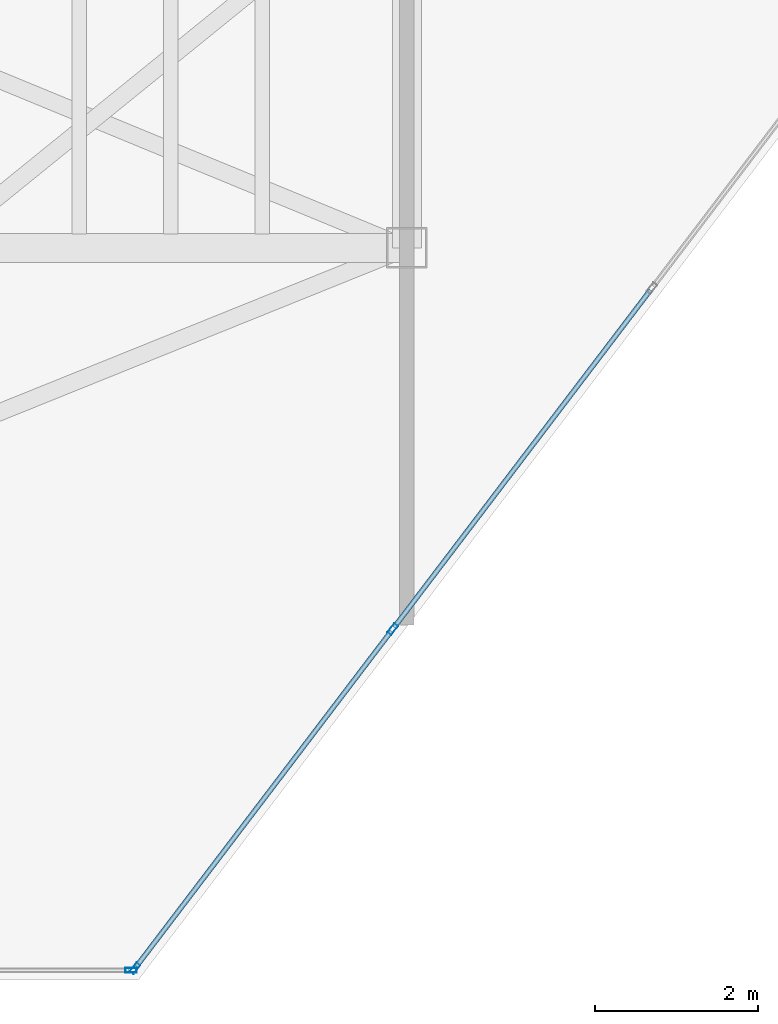
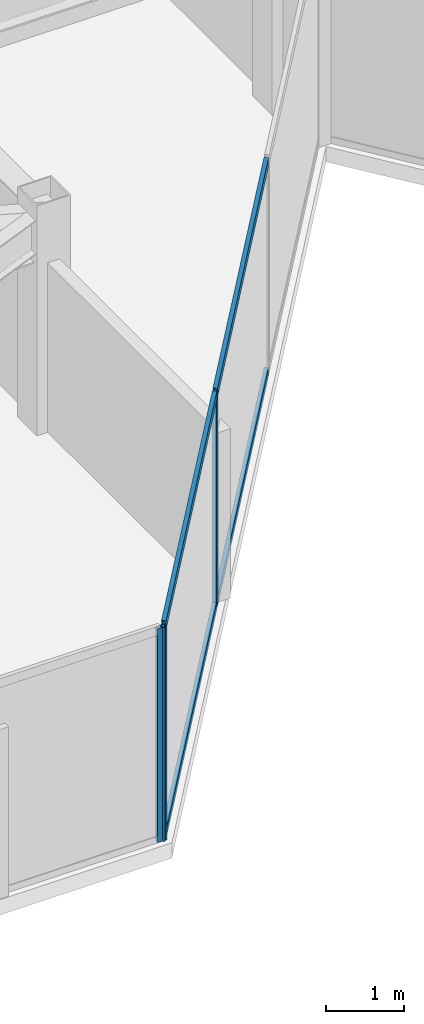
# One storey, part 4 of 19: 7 members, 2 elements without a shape of their own.
"""IFC4 building model written with IfcOpenShell, lengths in metres."""

from ifc_helpers import new_model, si_unit, direction, frame, origin, origin_2d, place, context, subcontext, project, spatial, hollow_rectangle, extrude, material, layer, layer_set, material_profile, profile_set, type_object, element, aggregate, save


model = new_model("IFC4")

# Units and contexts
model_context = context("Model", 3, precision=1e-05, world=origin(), true_north=direction((0.0, 1.0)))
body_context = subcontext(model_context, "Body", "Model", "MODEL_VIEW")
ifc_project = project(units=[si_unit("LENGTHUNIT", "METRE"), si_unit("AREAUNIT", "SQUARE_METRE"), si_unit("VOLUMEUNIT", "CUBIC_METRE"), si_unit("PLANEANGLEUNIT", "RADIAN"), si_unit("MASSUNIT", "GRAM", prefix="KILO")], contexts=[model_context])

# Site, building, storey
site_placement = place(None, origin())
site = spatial("IfcSite", under=ifc_project, at=site_placement, CompositionType="ELEMENT")
building_placement = place(site_placement, origin())
building = spatial("IfcBuilding", under=site, at=building_placement, Name="Kravanh Interchange Tower", CompositionType="ELEMENT")
storey_placement = place(building_placement, frame((0.0, 0.0, 259.800048828125)))
storey = spatial("IfcBuildingStorey", under=building, at=storey_placement, Name="L63", CompositionType="ELEMENT", Elevation=259.800048828125)

# Curtain wall, members
ifc_material_1 = material(Name="Anodised Bronze Aluminium", Category="aluminium")
ifc_layer = layer(ifc_material_1, 0.179931640625)
ifc_layer_set = layer_set([ifc_layer], Name="Unitised Curtain Wall System CW-HTL Luxury Hotel")
curtain_wall_type = type_object("IfcCurtainWallType", Name="Unitised Curtain Wall System CW-HTL Luxury Hotel", PredefinedType="NOTDEFINED", material=ifc_layer_set)
curtain_wall_1_placement = place(storey_placement, origin())
curtain_wall_1 = element("IfcCurtainWall", 1, at=curtain_wall_1_placement, inside=storey, type_object=curtain_wall_type, Name="L63 Unitised Curtain Wall CW-L63-05", PredefinedType="NOTDEFINED")
ifc_material_2 = material(Name="Anodised Bronze Aluminium", Category="aluminium")
ifc_material_profile_1 = material_profile(ifc_material_2, hollow_rectangle(XDim=0.06005859375, YDim=0.139892578125, WallThickness=0.00390625, at=origin_2d()), Name="ALU60X140X4")
ifc_profile_set_1 = profile_set([ifc_material_profile_1], Name="Anodised Bronze Aluminium")
member_type_1 = type_object("IfcMemberType", Name="Curtain Wall Mullion ALU60X140X4 Bronze", PredefinedType="MULLION", material=ifc_profile_set_1)
member_1_placement = place(storey_placement, frame((38.427001953125, 22.11279296875, 0.0), z_axis=(0.0, 0.0, 1.0), x_axis=(0.79616243806, -0.605082946564, 0.0)))
member_1 = element("IfcMember", 2, at=member_1_placement, type_object=member_type_1, Name="CW-HTL mullion 3", PredefinedType="MULLION", context=body_context, shape_type="SweptSolid", body=[
    extrude(hollow_rectangle(XDim=0.06005859375, YDim=0.139892578125, WallThickness=0.00390625, at=origin_2d()), origin(), (0.0, 0.0, 1.0), 3.349853515625),
])
member_2_placement = place(storey_placement, frame((35.258544921875, 17.94384765625, 0.0), z_axis=(0.0, 0.0, 1.0), x_axis=(0.79616243806, -0.605082946564, 0.0)))
member_2 = element("IfcMember", 3, at=member_2_placement, type_object=member_type_1, Name="CW-HTL mullion 4", PredefinedType="MULLION", context=body_context, shape_type="SweptSolid", body=[
    extrude(hollow_rectangle(XDim=0.06005859375, YDim=0.139892578125, WallThickness=0.00390625, at=origin_2d()), origin(), (0.0, 0.0, 1.0), 3.349853515625),
])

# Curtain wall, member
curtain_wall_2_placement = place(storey_placement, origin())
curtain_wall_2 = element("IfcCurtainWall", 4, at=curtain_wall_2_placement, inside=storey, type_object=curtain_wall_type, Name="L63 Unitised Curtain Wall CW-L63-06", PredefinedType="NOTDEFINED")
member_3_placement = place(storey_placement, frame((35.21044921875, 17.919921875, 0.0), z_axis=(0.0, 0.0, 1.0), x_axis=(0.0, -1.0, 0.0)))
member_3 = element("IfcMember", 5, at=member_3_placement, type_object=member_type_1, Name="CW-HTL mullion 1", PredefinedType="MULLION", context=body_context, shape_type="SweptSolid", body=[
    extrude(hollow_rectangle(XDim=0.06005859375, YDim=0.139892578125, WallThickness=0.00390625, at=origin_2d()), origin(), (0.0, 0.0, 1.0), 3.349853515625),
])
aggregate(curtain_wall_2, [member_3])

# Member
ifc_material_3 = material(Name="Anodised Bronze Aluminium", Category="aluminium")
ifc_material_profile_2 = material_profile(ifc_material_3, hollow_rectangle(XDim=0.06005859375, YDim=0.139892578125, WallThickness=0.00390625, at=origin_2d()), Name="ALU60X140X4")
ifc_profile_set_2 = profile_set([ifc_material_profile_2], Name="Anodised Bronze Aluminium")
member_type_2 = type_object("IfcMemberType", Name="Curtain Wall Transom ALU60X140X4 Bronze", PredefinedType="USERDEFINED", material=ifc_profile_set_2)
member_4_placement = place(storey_placement, frame((41.595458984375, 26.28173828125, 0.030029296875), z_axis=(-0.605104668693, -0.796145928788, 0.0), x_axis=(0.796145928788, -0.605104668693, 0.0)))
member_4 = element("IfcMember", 6, at=member_4_placement, type_object=member_type_2, Name="CW-HTL transom 2.1", ObjectType="TRANSOM", PredefinedType="USERDEFINED", context=body_context, shape_type="SweptSolid", body=[
    extrude(hollow_rectangle(XDim=0.06005859375, YDim=0.139892578125, WallThickness=0.00390625, at=origin_2d()), origin(), (0.0, 0.0, 1.0), 5.206298828125),
])

member_5_placement = place(storey_placement, frame((41.595458984375, 26.28173828125, 3.320068359375), z_axis=(-0.605104668693, -0.796145928788, 0.0), x_axis=(0.796145928788, -0.605104668693, 0.0)))
member_5 = element("IfcMember", 7, at=member_5_placement, type_object=member_type_2, Name="CW-HTL transom 2.2", ObjectType="TRANSOM", PredefinedType="USERDEFINED", context=body_context, shape_type="SweptSolid", body=[
    extrude(hollow_rectangle(XDim=0.06005859375, YDim=0.139892578125, WallThickness=0.00390625, at=origin_2d()), origin(), (0.0, 0.0, 1.0), 5.206298828125),
])

member_6_placement = place(storey_placement, frame((38.408935546875, 22.0888671875, 0.030029296875), z_axis=(-0.605089246946, -0.796157649734, 0.0), x_axis=(0.796157649734, -0.605089246946, 0.0)))
member_6 = element("IfcMember", 8, at=member_6_placement, type_object=member_type_2, Name="CW-HTL transom 3.1", ObjectType="TRANSOM", PredefinedType="USERDEFINED", context=body_context, shape_type="SweptSolid", body=[
    extrude(hollow_rectangle(XDim=0.06005859375, YDim=0.139892578125, WallThickness=0.00390625, at=origin_2d()), origin(), (0.0, 0.0, 1.0), 5.17626953125),
])

member_7_placement = place(storey_placement, frame((38.408935546875, 22.0888671875, 3.320068359375), z_axis=(-0.605089246946, -0.796157649734, 0.0), x_axis=(0.796157649734, -0.605089246946, 0.0)))
member_7 = element("IfcMember", 9, at=member_7_placement, type_object=member_type_2, Name="CW-HTL transom 3.2", ObjectType="TRANSOM", PredefinedType="USERDEFINED", context=body_context, shape_type="SweptSolid", body=[
    extrude(hollow_rectangle(XDim=0.06005859375, YDim=0.139892578125, WallThickness=0.00390625, at=origin_2d()), origin(), (0.0, 0.0, 1.0), 5.17626953125),
])

aggregate(curtain_wall_1, [member_1, member_2, member_4, member_5, member_6, member_7])

save(model, "model.ifc")
